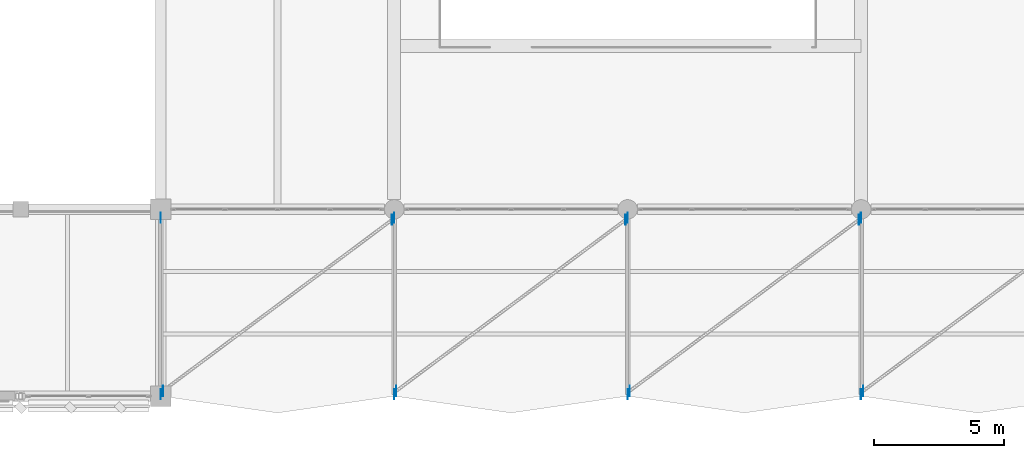
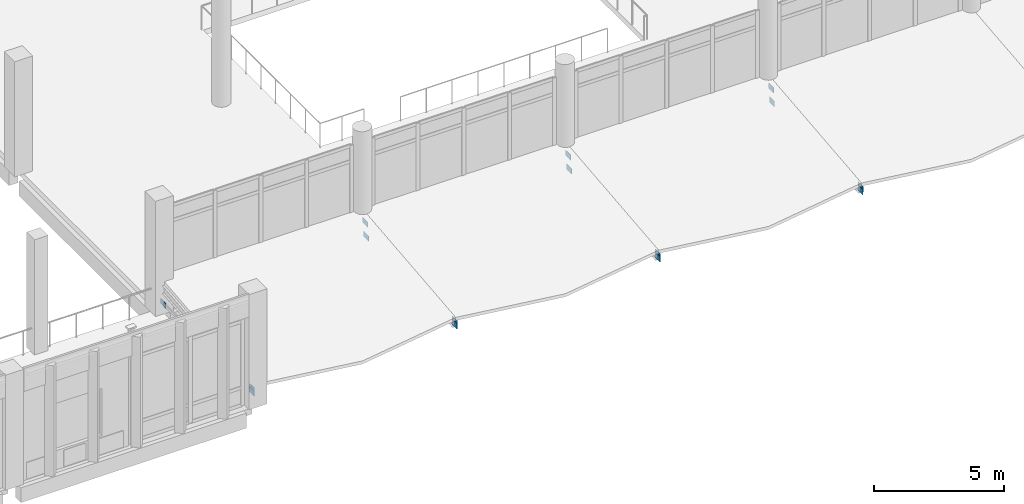
# One storey, part 154 of 180: 15 plates.
"""IFC4 building model written with IfcOpenShell, lengths in metres."""

from ifc_helpers import new_model, si_unit, direction, frame, origin, origin_2d, place, context, subcontext, project, spatial, rectangle, extrude, material, layer, layer_set, type_object, element, save


model = new_model("IFC4")

# Units and contexts
model_context = context("Model", 3, precision=1e-05, world=origin(), true_north=direction((0.0, 1.0)))
body_context = subcontext(model_context, "Body", "Model", "MODEL_VIEW")
ifc_project = project(units=[si_unit("LENGTHUNIT", "METRE"), si_unit("AREAUNIT", "SQUARE_METRE"), si_unit("VOLUMEUNIT", "CUBIC_METRE"), si_unit("PLANEANGLEUNIT", "RADIAN"), si_unit("MASSUNIT", "GRAM", prefix="KILO")], contexts=[model_context])

# Site, building, storey
site_placement = place(None, origin())
site = spatial("IfcSite", under=ifc_project, at=site_placement, CompositionType="ELEMENT")
building_placement = place(site_placement, origin())
building = spatial("IfcBuilding", under=site, at=building_placement, Name="Lusvemor Sports Hall", CompositionType="ELEMENT")
storey_placement = place(building_placement, frame((0.0, 0.0, 5.39990234375)))
storey = spatial("IfcBuildingStorey", under=building, at=storey_placement, Name="L01", CompositionType="ELEMENT", Elevation=5.39990234375)

# Plates
ifc_material = material(Name="Steel S355", Category="steel")
ifc_layer = layer(ifc_material, 0.013916015625)
ifc_layer_set = layer_set([ifc_layer], Name="Steel S355")
plate_type = type_object("IfcPlateType", Name="GUSSET_CANOPY_D", PredefinedType="USERDEFINED", material=ifc_layer_set)
for number, where, z_axis, x_axis, name in (
    (1, (75.60009765625, 0.080078125, 0.315185546875), (0.0, 0.0, 1.0), (1.0, 0.0, 0.0), "Canopy Node Gusset 8"),
    (2, (75.60009765625, 6.8798828125, 0.315185546875), (0.0, 0.0, 1.0), (1.0, 0.0, 0.0), "Canopy Connection Gusset 8-N"),
    (3, (84.60009765625, 0.080078125, 0.315185546875), (0.0, 0.0, 1.0), (1.0, 0.0, 0.0), "Canopy Node Gusset 9"),
    (4, (84.60009765625, 6.8798828125, 0.315185546875), (0.0, 0.0, 1.0), (1.0, 0.0, 0.0), "Canopy Connection Gusset 9-N"),
    (5, (93.60009765625, 0.080078125, 0.315185546875), (0.0, 0.0, 1.0), (1.0, 0.0, 0.0), "Canopy Node Gusset 10"),
    (6, (93.60009765625, 6.8798828125, 0.315185546875), (0.0, 0.0, 1.0), (1.0, 0.0, 0.0), "Canopy Connection Gusset 10-N"),
    (7, (102.60009765625, 0.080078125, 0.315185546875), (0.0, 0.0, 1.0), (1.0, 0.0, 0.0), "Canopy Node Gusset 11"),
    (8, (102.60009765625, 6.8798828125, 0.315185546875), (0.0, 0.0, 1.0), (1.0, 0.0, 0.0), "Canopy Connection Gusset 11-N"),
    (9, (75.679931640625, 0.199951171875, 0.3486328125), (0.0, 0.0, 1.0), (1.0, 0.0, 0.0), "Canopy Wind Brace Gusset 8-0"),
    (10, (84.52001953125, 6.800048828125, 1.0361328125), (0.0, 0.0, 1.0), (1.0, 0.0, 0.0), "Canopy Wind Brace Gusset 8-1"),
    (11, (84.679931640625, 0.199951171875, 0.3486328125), (0.0, 0.0, 1.0), (1.0, 0.0, 0.0), "Canopy Wind Brace Gusset 9-0"),
    (12, (93.52001953125, 6.800048828125, 1.0361328125), (0.0, 0.0, 1.0), (1.0, 0.0, 0.0), "Canopy Wind Brace Gusset 9-1"),
    (13, (93.679931640625, 0.199951171875, 0.3486328125), (0.0, 0.0, 1.0), (1.0, 0.0, 0.0), "Canopy Wind Brace Gusset 10-0"),
    (14, (102.52001953125, 6.800048828125, 1.0361328125), (0.0, 0.0, 1.0), (1.0, 0.0, 0.0), "Canopy Wind Brace Gusset 10-1"),
    (15, (102.679931640625, 0.199951171875, 0.3486328125), (0.0, 0.0, 1.0), (1.0, 0.0, 0.0), "Canopy Wind Brace Gusset 11-0"),
):
    element("IfcPlate", number, at=place(storey_placement, frame(where, z_axis=z_axis, x_axis=x_axis)), inside=storey, type_object=plate_type, Name=name, ObjectType="GUSSET_PLATE", PredefinedType="USERDEFINED", context=body_context, shape_type="SweptSolid", body=[
        extrude(rectangle(XDim=0.013916015625, YDim=0.389892578125, at=origin_2d()), origin(), (0.0, 0.0, 1.0), 0.25),
    ])

save(model, "model.ifc")
